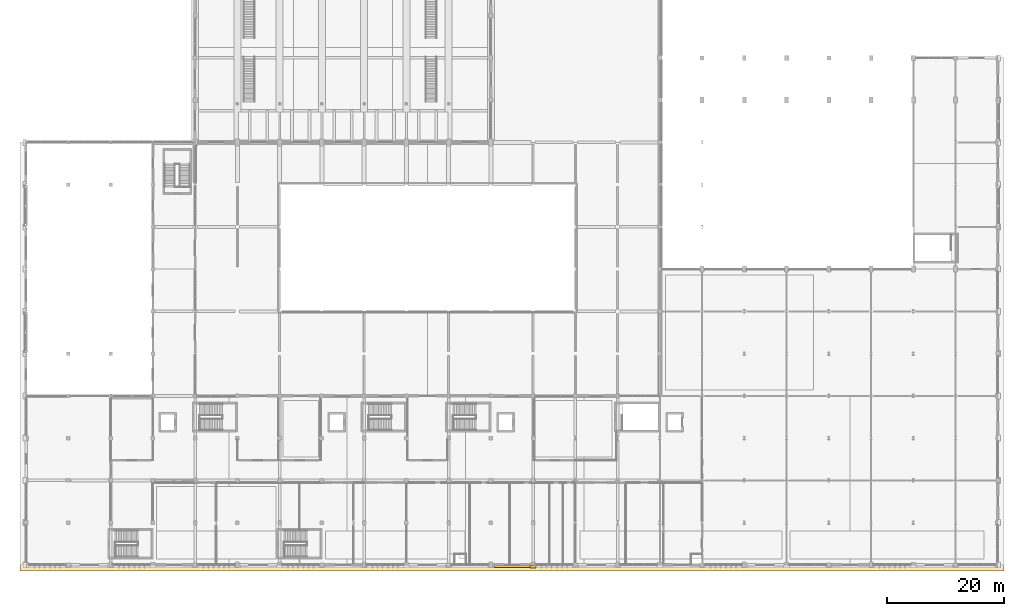
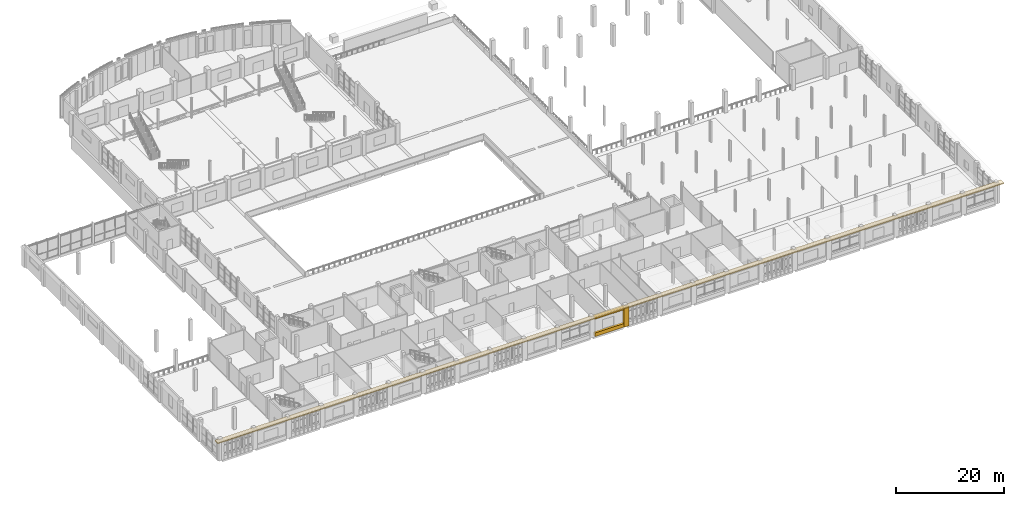
# One storey, part 71 of 82: 4 coverings.
"""IFC4 building model written with IfcOpenShell, lengths in metres."""

from ifc_helpers import new_model, si_unit, direction, frame, origin, place, context, subcontext, project, spatial, polyline, outline, extrude, material, layer, layer_set, type_object, element, save


model = new_model("IFC4")

# Units and contexts
model_context = context("Model", 3, precision=1e-05, world=origin(), true_north=direction((0.0, 1.0)))
body_context = subcontext(model_context, "Body", "Model", "MODEL_VIEW")
ifc_project = project(units=[si_unit("LENGTHUNIT", "METRE"), si_unit("AREAUNIT", "SQUARE_METRE"), si_unit("VOLUMEUNIT", "CUBIC_METRE"), si_unit("PLANEANGLEUNIT", "RADIAN"), si_unit("MASSUNIT", "GRAM", prefix="KILO")], contexts=[model_context])

# Site, building, storey
site_placement = place(None, origin())
site = spatial("IfcSite", under=ifc_project, at=site_placement, CompositionType="ELEMENT")
building_placement = place(site_placement, origin())
building = spatial("IfcBuilding", under=site, at=building_placement, Name="Sardonyx Promenade Sports Hall", CompositionType="ELEMENT")
storey_placement = place(building_placement, frame((0.0, 0.0, 11.199951171875)))
storey = spatial("IfcBuildingStorey", under=building, at=storey_placement, Name="L02", CompositionType="ELEMENT", Elevation=11.199951171875)

# Coverings
ifc_material_1 = material(Name="Dressed Cape red sandstone cornice", Category="masonry")
ifc_layer_1 = layer(ifc_material_1, 0.139892578125)
ifc_layer_set_1 = layer_set([ifc_layer_1], Name="Cov_Chhajja_Eave")
covering_type_1 = type_object("IfcCoveringType", Name="Cov_Chhajja_Eave", PredefinedType="MOLDING", material=ifc_layer_set_1)
covering_1_placement = place(storey_placement, frame((0.0, 0.0, 4.449951171875)))
element("IfcCovering", 1, at=covering_1_placement, inside=storey, type_object=covering_type_1, Name="South wing L02 chhajja cornice", PredefinedType="MOLDING", context=body_context, shape_type="SweptSolid", body=[
    extrude(outline(polyline([(-1.050048828125, -1.050048828125), (166.64990234375, -1.050048828125), (166.64990234375, 0.050048828125), (-1.050048828125, 0.050048828125), (-1.050048828125, -1.050048828125)])), origin(), (0.0, 0.0, 1.0), 0.22021484375),
])
ifc_material_2 = material(Name="Dressed Cape red sandstone ashlar", Category="masonry")
ifc_layer_2 = layer(ifc_material_2, 0.06005859375)
ifc_layer_set_2 = layer_set([ifc_layer_2], Name="Cov_Cladding_Sandstone")
covering_type_2 = type_object("IfcCoveringType", Name="Cov_Cladding_Sandstone", PredefinedType="CLADDING", material=ifc_layer_set_2)
covering_2_placement = place(storey_placement, origin())
element("IfcCovering", 2, at=covering_2_placement, inside=storey, type_object=covering_type_2, Name="South sandstone bay pier casing L02 #12", PredefinedType="CLADDING", context=body_context, shape_type="SweptSolid", body=[
    extrude(outline(polyline([(85.8798828125, -0.52001953125), (86.919921875, -0.52001953125), (86.919921875, 0.02001953125), (85.8798828125, 0.02001953125), (85.8798828125, -0.52001953125)])), origin(), (0.0, 0.0, 1.0), 4.449951171875),
])
covering_3_placement = place(storey_placement, origin())
element("IfcCovering", 3, at=covering_3_placement, inside=storey, type_object=covering_type_2, Name="South sandstone sill spandrel L02 #11", PredefinedType="CLADDING", context=body_context, shape_type="SweptSolid", body=[
    extrude(outline(polyline([(79.719970703125, -0.4599609375), (85.8798828125, -0.4599609375), (85.8798828125, 0.02001953125), (79.719970703125, 0.02001953125), (79.719970703125, -0.4599609375)])), origin(), (0.0, 0.0, 1.0), 0.820068359375),
])
covering_4_placement = place(storey_placement, frame((0.0, 0.0, 3.900146484375)))
element("IfcCovering", 4, at=covering_4_placement, inside=storey, type_object=covering_type_2, Name="South sandstone lintel frieze L02 #11", PredefinedType="CLADDING", context=body_context, shape_type="SweptSolid", body=[
    extrude(outline(polyline([(79.719970703125, -0.4599609375), (85.8798828125, -0.4599609375), (85.8798828125, 0.02001953125), (79.719970703125, 0.02001953125), (79.719970703125, -0.4599609375)])), origin(), (0.0, 0.0, 1.0), 0.5498046875),
])

save(model, "model.ifc")
